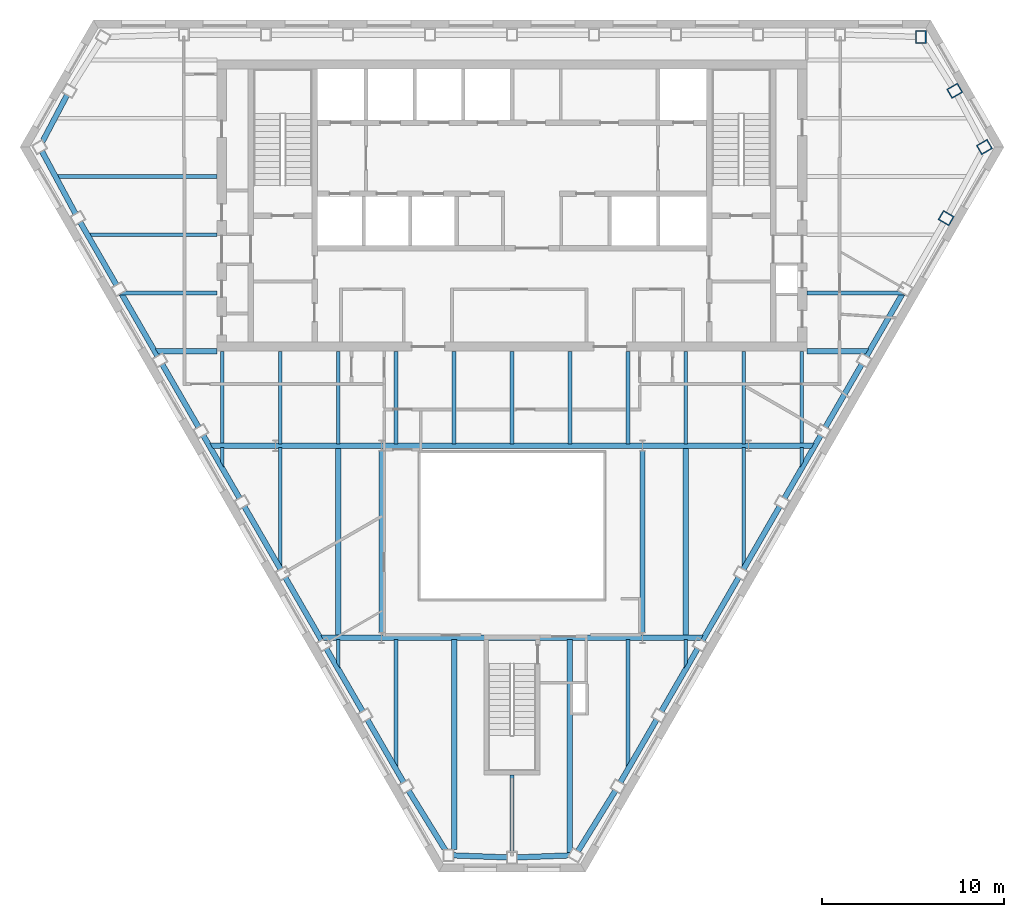
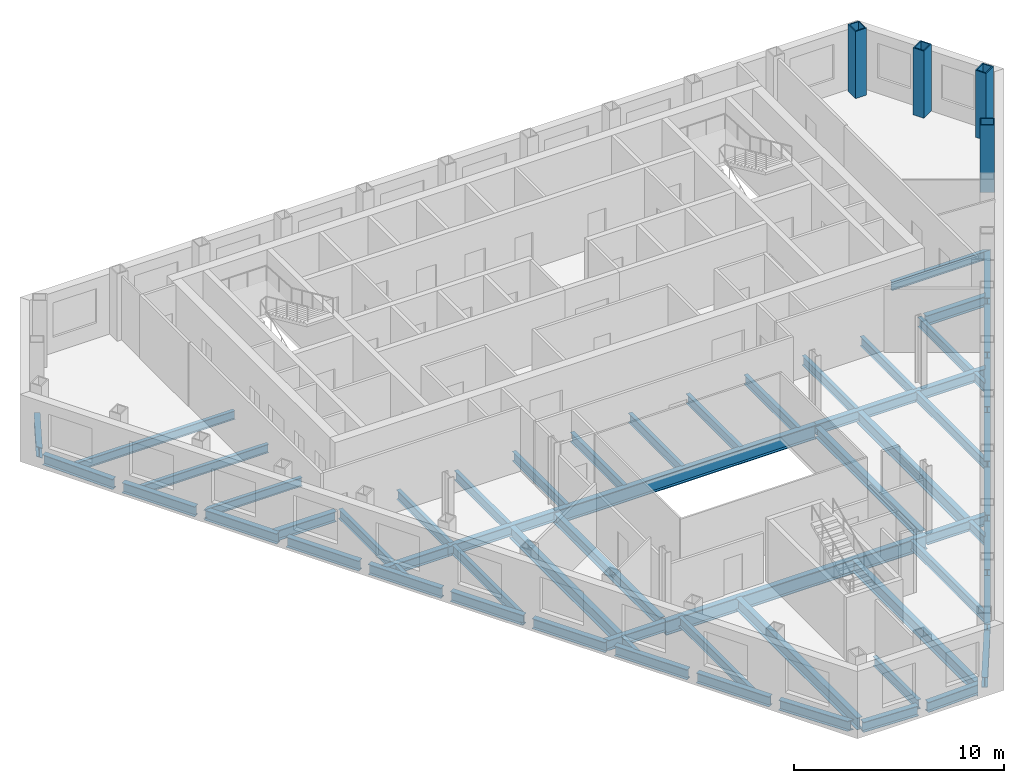
# One storey, part 2 of 11: 61 beams, 4 columns.
"""IFC4 building model written with IfcOpenShell, lengths in metres."""

import ifcopenshell
import ifcopenshell.guid

model = None  # the IFC model being written
_history = None  # IfcOwnerHistory: only IFC2X3 demands one
_inside = {}  # id of a spatial element -> (the spatial element, [elements in it])
_under = {}  # id of a project, library or spatial element -> (it, [spatial elements below it])
_declared = {}  # id of a project -> (the project, [libraries it declares])
_typed = {}  # id of a type object -> (the type object, [elements of that type])
_made_of = {}  # id of a material, layer set ... -> (it, [elements and type objects made of it])


def new_model(schema):
    """Start an empty IFC model of exactly this schema.

    Asked for "IFC4X3", IfcOpenShell would pick the latest addendum, in which some entities
    have other attributes; the version numbers below select the first issue.
    IFC2X3 requires an IfcOwnerHistory on every rooted entity: one is made here for all.
    """
    global model, _history
    if schema == "IFC4X3":
        model = ifcopenshell.file(schema_version=(4, 3, 0, 0))
    else:
        model = ifcopenshell.file(schema=schema)
    _inside.clear()
    _under.clear()
    _declared.clear()
    _typed.clear()
    _made_of.clear()
    _history = None
    if model.schema == "IFC2X3":
        org = make("IfcOrganization", Name="unknown")
        user = make(
            "IfcPersonAndOrganization",
            ThePerson=make("IfcPerson", FamilyName="unknown"),
            TheOrganization=org,
        )
        app = make(
            "IfcApplication",
            ApplicationDeveloper=org,
            Version="unknown",
            ApplicationFullName="unknown",
            ApplicationIdentifier="unknown",
        )
        _history = make(
            "IfcOwnerHistory",
            OwningUser=user,
            OwningApplication=app,
            ChangeAction="ADDED",
            CreationDate=0,
        )
    return model


def make(cls, **values):
    """One entity of the class cls with the attributes given. An attribute that is None is left unset."""
    return model.create_entity(
        cls, **{name: value for name, value in values.items() if value is not None}
    )


def rooted(cls, **values):
    """An entity with a GlobalId (a new one), such as an element, a storey or a relation."""
    return make(cls, GlobalId=ifcopenshell.guid.new(), OwnerHistory=_history, **values)


def si_unit(unit_type, name, prefix=None):
    """IfcSIUnit, for example si_unit("LENGTHUNIT", "METRE", prefix="MILLI")."""
    return make("IfcSIUnit", UnitType=unit_type, Prefix=prefix, Name=name)


def assignment(units):
    """IfcUnitAssignment: the units of a project."""
    return None if units is None else make("IfcUnitAssignment", Units=units)


def point(xyz):
    """IfcCartesianPoint."""
    return None if xyz is None else make("IfcCartesianPoint", Coordinates=xyz)


def direction(xyz):
    """IfcDirection."""
    return None if xyz is None else make("IfcDirection", DirectionRatios=xyz)


def frame(location, z_axis=None, x_axis=None):
    """IfcAxis2Placement3D, a coordinate frame: its origin and axes. An axis left out is left unset."""
    return make(
        "IfcAxis2Placement3D",
        Location=point(location),
        Axis=direction(z_axis),
        RefDirection=direction(x_axis),
    )


def frame_2d(location, x_axis=None):
    """IfcAxis2Placement2D, a coordinate frame in the plane: its origin and x axis."""
    return make(
        "IfcAxis2Placement2D", Location=point(location), RefDirection=direction(x_axis)
    )


def origin():
    """The frame at (0, 0, 0) with its axes left unset."""
    return frame((0.0, 0.0, 0.0))


def origin_2d():
    """The frame at (0, 0) in the plane with its x axis left unset."""
    return frame_2d((0.0, 0.0))


def place(relative_to, where):
    """IfcLocalPlacement: puts the frame where relative to a parent placement (None: the world)."""
    return make(
        "IfcLocalPlacement", PlacementRelTo=relative_to, RelativePlacement=where
    )


def context(
    kind, dimensions, precision=None, world=None, true_north=None, identifier=None
):
    """IfcGeometricRepresentationContext, for example the 3D "Model" context."""
    return make(
        "IfcGeometricRepresentationContext",
        ContextIdentifier=identifier,
        ContextType=kind,
        CoordinateSpaceDimension=dimensions,
        Precision=precision,
        WorldCoordinateSystem=world,
        TrueNorth=true_north,
    )


def subcontext(parent, identifier, kind, view, scale=None):
    """IfcGeometricRepresentationSubContext, for example "Body" below "Model"."""
    return make(
        "IfcGeometricRepresentationSubContext",
        ContextIdentifier=identifier,
        ContextType=kind,
        ParentContext=parent,
        TargetScale=scale,
        TargetView=view,
    )


def project(units=None, contexts=None):
    """IfcProject with its units and contexts."""
    return rooted(
        "IfcProject",
        Name="project",
        RepresentationContexts=contexts,
        UnitsInContext=assignment(units),
    )


def spatial(cls, under=None, at=None, **own):
    """A site, building, storey or space (cls), placed at a placement, below another one or the project."""
    s = rooted(cls, ObjectPlacement=at, **own)
    if under is not None:
        _under.setdefault(under.id(), (under, []))[1].append(s)
    return s


def profile(cls, at=None, kind="AREA", **sizes):
    """A parametric profile (cls). Its sizes go by their IFC names, for example OverallWidth=200.0."""
    return make(cls, ProfileType=kind, Position=at, **sizes)


def hollow_rectangle(**sizes):
    """IfcRectangleHollowProfileDef."""
    return profile("IfcRectangleHollowProfileDef", **sizes)


def i_section(**sizes):
    """IfcIShapeProfileDef."""
    return profile("IfcIShapeProfileDef", **sizes)


def extrude(swept, where, along, depth):
    """IfcExtrudedAreaSolid: the profile swept, set in the frame where, extruded along a direction by depth."""
    return make(
        "IfcExtrudedAreaSolid",
        SweptArea=swept,
        Position=where,
        ExtrudedDirection=direction(along),
        Depth=depth,
    )


def clip(a, b, op="DIFFERENCE"):
    """IfcBooleanClippingResult: the solid a cut by the half space b."""
    return make(
        "IfcBooleanClippingResult", Operator=op, FirstOperand=a, SecondOperand=b
    )


def halfspace(plane, agree):
    """IfcHalfSpaceSolid: all space on one side of the plane z = 0 of the frame plane."""
    return make(
        "IfcHalfSpaceSolid",
        BaseSurface=make("IfcPlane", Position=plane),
        AgreementFlag=agree,
    )


def shape(context_of_items, identifier, shape_type, items):
    """IfcShapeRepresentation: the items that make up one representation, for example the "Body"."""
    return make(
        "IfcShapeRepresentation",
        ContextOfItems=context_of_items,
        RepresentationIdentifier=identifier,
        RepresentationType=shape_type,
        Items=items,
    )


def material(Name=None, Category=None):
    """IfcMaterial."""
    return make("IfcMaterial", Name=Name, Category=Category)


def material_profile(
    of_material, cross_section, Name=None, Category=None, Priority=None
):
    """IfcMaterialProfile: a cross section and its material."""
    return make(
        "IfcMaterialProfile",
        Name=Name,
        Material=of_material,
        Profile=cross_section,
        Priority=Priority,
        Category=Category,
    )


def profile_set(profiles, Name=None, composite=None):
    """IfcMaterialProfileSet."""
    return make(
        "IfcMaterialProfileSet",
        Name=Name,
        MaterialProfiles=profiles,
        CompositeProfile=composite,
    )


def made_of(thing, what):
    """Note that an element or type object is made of a material, layer set ...; save() writes the relation."""
    if what is not None:
        _made_of.setdefault(what.id(), (what, []))[1].append(thing)
    return thing


def type_object(cls, material=None, **own):
    """A type object (cls), such as IfcWallType, which elements share."""
    return made_of(rooted(cls, **own), material)


def element(
    cls,
    number,
    at=None,
    inside=None,
    cuts=None,
    type_object=None,
    material=None,
    context=None,
    identifier="Body",
    shape_type=None,
    held_by="IfcProductDefinitionShape",
    body=None,
    shapes=None,
    **own,
):
    """One element of the class cls, such as IfcWall. Its Tag is "e" and its number.

    at: its placement. inside: the storey or other place that contains it. cuts: it is an
    opening in that element (IfcRelVoidsElement). A single representation is given by context,
    identifier, shape_type and body (its items); several are given by shapes. held_by: the class
    of the entity that holds the representations. save() writes the other relations.
    """
    e = rooted(cls, Tag="e%d" % number, ObjectPlacement=at, **own)
    if body is not None:
        shapes = [shape(context, identifier, shape_type, body)]
    if shapes is not None:
        e.Representation = make(held_by, Representations=shapes)
    if inside is not None:
        _inside.setdefault(inside.id(), (inside, []))[1].append(e)
    if cuts is not None:
        rooted(
            "IfcRelVoidsElement", RelatingBuildingElement=cuts, RelatedOpeningElement=e
        )
    if type_object is not None:
        _typed.setdefault(type_object.id(), (type_object, []))[1].append(e)
    return made_of(e, material)


def aggregate(whole, parts):
    """IfcRelAggregates: a whole, such as a stair, and the parts it consists of."""
    return rooted("IfcRelAggregates", RelatingObject=whole, RelatedObjects=parts)


def save(model, path):
    """Write the relations noted so far, then the file.

    IfcRelAggregates (storeys below a building ...), IfcRelContainedInSpatialStructure (elements
    in a storey), IfcRelDefinesByType, IfcRelAssociatesMaterial and IfcRelDeclares: one each for
    every whole, place, type object, material and project.
    """
    for whole, parts in _under.values():
        aggregate(whole, parts)
    for where, things in _inside.values():
        rooted(
            "IfcRelContainedInSpatialStructure",
            RelatedElements=things,
            RelatingStructure=where,
        )
    for kind, things in _typed.values():
        rooted("IfcRelDefinesByType", RelatedObjects=things, RelatingType=kind)
    for what, things in _made_of.values():
        rooted("IfcRelAssociatesMaterial", RelatedObjects=things, RelatingMaterial=what)
    for by, libraries in _declared.values():
        rooted("IfcRelDeclares", RelatingContext=by, RelatedDefinitions=libraries)
    model.write(path)


model = new_model("IFC4")

# Units and contexts
model_context = context("Model", 3, precision=1e-05, world=origin(), true_north=direction((0.0, 1.0)))
body_context = subcontext(model_context, "Body", "Model", "MODEL_VIEW")
ifc_project = project(units=[si_unit("LENGTHUNIT", "METRE"), si_unit("AREAUNIT", "SQUARE_METRE"), si_unit("VOLUMEUNIT", "CUBIC_METRE"), si_unit("PLANEANGLEUNIT", "RADIAN"), si_unit("MASSUNIT", "GRAM", prefix="KILO")], contexts=[model_context])

# Site, building, storey
site_placement = place(None, origin())
site = spatial("IfcSite", under=ifc_project, at=site_placement, CompositionType="ELEMENT")
building_placement = place(site_placement, origin())
building = spatial("IfcBuilding", under=site, at=building_placement, Name="Njiva Tower", CompositionType="ELEMENT")
storey_placement = place(building_placement, frame((0.0, 0.0, 178.8)))
storey = spatial("IfcBuildingStorey", under=building, at=storey_placement, Name="L39", CompositionType="ELEMENT", Elevation=178.8)

# Columns
ifc_material = material(Name="Steel S355 J2", Category="steel")
ifc_material_profile_1 = material_profile(ifc_material, hollow_rectangle(XDim=0.6, YDim=0.7, WallThickness=0.06, at=origin_2d()), Name="BOX 700x600x60")
ifc_profile_set_1 = profile_set([ifc_material_profile_1], Name="Steel S355 J2")
column_type = type_object("IfcColumnType", Name="C9 Perimeter tube column BOX 700x600x60", PredefinedType="COLUMN", material=ifc_profile_set_1)
for number, where, z_axis, x_axis, name in (
    (1, (22.466, 19.267, 0.0), (0.0, 0.0, 1.0), (-1.0, 0.0, 0.0), "Perimeter tube column S13-C01"),
    (2, (23.857, 9.315, 0.0), (0.0, 0.0, 1.0), (0.5, 0.866025403784, 0.0), "Perimeter tube column S13-C34"),
    (3, (25.958, 13.22, 0.0), (0.0, 0.0, 1.0), (-0.5, 0.866025403784, 0.0), "Perimeter tube column S13-C35"),
    (4, (24.327, 16.31, 0.0), (0.0, 0.0, 1.0), (-0.5, 0.866025403784, 0.0), "Perimeter tube column S13-C36"),
):
    element("IfcColumn", number, at=place(storey_placement, frame(where, z_axis=z_axis, x_axis=x_axis)), inside=storey, type_object=column_type, Name=name, PredefinedType="COLUMN", context=body_context, shape_type="SweptSolid", body=[
        extrude(hollow_rectangle(XDim=0.6, YDim=0.7, WallThickness=0.06, at=origin_2d()), origin(), (0.0, 0.0, 1.0), 3.9),
    ])

# Beams
ifc_material_profile_2 = material_profile(ifc_material, i_section(OverallWidth=0.3, OverallDepth=0.69, WebThickness=0.0145, FlangeThickness=0.027, at=origin_2d()), Name="HEA 700")
ifc_profile_set_2 = profile_set([ifc_material_profile_2], Name="Steel S355 J2")
beam_type_1 = type_object("IfcBeamType", Name="B12 Long-span floor joist HEA 700", PredefinedType="JOIST", material=ifc_profile_set_2)
beam_1_placement = place(storey_placement, frame((-9.55, -3.3, -0.545), z_axis=(0.0, -1.0, 0.0), x_axis=(1.0, 0.0, 0.0)))
element("IfcBeam", 5, at=beam_1_placement, inside=storey, type_object=beam_type_1, Name="Long-span floor joist S13-B056", PredefinedType="JOIST", context=body_context, shape_type="SweptSolid", body=[
    extrude(i_section(OverallWidth=0.3, OverallDepth=0.69, WebThickness=0.0145, FlangeThickness=0.027, at=origin_2d()), origin(), (0.0, 0.0, 1.0), 10.35),
])
beam_2_placement = place(storey_placement, frame((-3.183, -13.851, -0.545), z_axis=(0.0, -1.0, 0.0), x_axis=(1.0, 0.0, 0.0)))
element("IfcBeam", 6, at=beam_2_placement, inside=storey, type_object=beam_type_1, Name="Long-span floor joist S13-B061", PredefinedType="JOIST", context=body_context, shape_type="SweptSolid", body=[
    extrude(i_section(OverallWidth=0.3, OverallDepth=0.69, WebThickness=0.0145, FlangeThickness=0.027, at=origin_2d()), origin(), (0.0, 0.0, 1.0), 11.542),
])
beam_3_placement = place(storey_placement, frame((3.183, -13.851, -0.545), z_axis=(0.0, -1.0, 0.0), x_axis=(1.0, 0.0, 0.0)))
element("IfcBeam", 7, at=beam_3_placement, inside=storey, type_object=beam_type_1, Name="Long-span floor joist S13-B066", PredefinedType="JOIST", context=body_context, shape_type="Clipping", body=[
    clip(extrude(i_section(OverallWidth=0.3, OverallDepth=0.69, WebThickness=0.0145, FlangeThickness=0.027, at=origin_2d()), origin(), (0.0, 0.0, 1.0), 11.977), halfspace(frame((0.0436, 0.0, 11.6999), z_axis=(0.866026552831, 0.0, 0.499998009787), x_axis=(0.0, 1.0, 0.0)), False)),
])
beam_4_placement = place(storey_placement, frame((9.55, -3.3, -0.545), z_axis=(0.0, -1.0, 0.0), x_axis=(1.0, 0.0, 0.0)))
element("IfcBeam", 8, at=beam_4_placement, inside=storey, type_object=beam_type_1, Name="Long-span floor joist S13-B072", PredefinedType="JOIST", context=body_context, shape_type="SweptSolid", body=[
    extrude(i_section(OverallWidth=0.3, OverallDepth=0.69, WebThickness=0.0145, FlangeThickness=0.027, at=origin_2d()), origin(), (0.0, 0.0, 1.0), 10.35),
])
ifc_material_profile_3 = material_profile(ifc_material, i_section(OverallWidth=0.2, OverallDepth=0.5, WebThickness=0.0102, FlangeThickness=0.016, at=origin_2d()), Name="IPE 500")
ifc_profile_set_3 = profile_set([ifc_material_profile_3], Name="Steel S355 J2")
beam_type_2 = type_object("IfcBeamType", Name="B24 Floor beam to the core IPE 500", PredefinedType="BEAM", material=ifc_profile_set_3)
beam_5_placement = place(storey_placement, frame((-21.661, 5.2, -0.45), z_axis=(1.0, 0.0, 0.0), x_axis=(0.0, 1.0, 0.0)))
element("IfcBeam", 9, at=beam_5_placement, inside=storey, type_object=beam_type_2, Name="Floor beam to the core S13-B005", PredefinedType="BEAM", context=body_context, shape_type="Clipping", body=[
    clip(extrude(i_section(OverallWidth=0.2, OverallDepth=0.5, WebThickness=0.0102, FlangeThickness=0.016, at=origin_2d()), origin(), (0.0, 0.0, 1.0), 5.461), halfspace(frame((0.0433, 0.0, 0.2675), z_axis=(0.866026552831, 0.0, -0.499998009787), x_axis=(0.0, -1.0, 0.0)), False)),
])
beam_6_placement = place(storey_placement, frame((16.2, 5.2, -0.45), z_axis=(1.0, 0.0, 0.0), x_axis=(0.0, 1.0, 0.0)))
element("IfcBeam", 10, at=beam_6_placement, inside=storey, type_object=beam_type_2, Name="Floor beam to the core S13-B008", PredefinedType="BEAM", context=body_context, shape_type="Clipping", body=[
    clip(extrude(i_section(OverallWidth=0.2, OverallDepth=0.5, WebThickness=0.0102, FlangeThickness=0.016, at=origin_2d()), origin(), (0.0, 0.0, 1.0), 5.461), halfspace(frame((0.0433, 0.0, 5.1935), z_axis=(0.866026552831, 0.0, 0.499998009787), x_axis=(0.0, 1.0, 0.0)), False)),
])
beam_7_placement = place(storey_placement, frame((-23.291, 8.4, -0.45), z_axis=(1.0, 0.0, 0.0), x_axis=(0.0, 1.0, 0.0)))
element("IfcBeam", 11, at=beam_7_placement, inside=storey, type_object=beam_type_2, Name="Floor beam to the core S13-B003", PredefinedType="BEAM", context=body_context, shape_type="Clipping", body=[
    clip(extrude(i_section(OverallWidth=0.2, OverallDepth=0.5, WebThickness=0.0102, FlangeThickness=0.016, at=origin_2d()), origin(), (0.0, 0.0, 1.0), 7.091), halfspace(frame((-0.025, 0.0, 0.0924), z_axis=(-0.499998009787, 0.0, -0.866026552831), x_axis=(0.0, -1.0, 0.0)), False)),
])
beam_8_placement = place(storey_placement, frame((-25.047, 11.6, -0.45), z_axis=(1.0, 0.0, 0.0), x_axis=(0.0, 1.0, 0.0)))
element("IfcBeam", 12, at=beam_8_placement, inside=storey, type_object=beam_type_2, Name="Floor beam to the core S13-B002", PredefinedType="BEAM", context=body_context, shape_type="Clipping", body=[
    clip(extrude(i_section(OverallWidth=0.2, OverallDepth=0.5, WebThickness=0.0102, FlangeThickness=0.016, at=origin_2d()), origin(), (0.0, 0.0, 1.0), 8.847), halfspace(frame((-0.0237, 0.0, 0.0872), z_axis=(-0.473777178452, 0.0, -0.88064475538), x_axis=(0.0, -1.0, 0.0)), False)),
])
ifc_material_profile_4 = material_profile(ifc_material, i_section(OverallWidth=0.3, OverallDepth=0.59, WebThickness=0.013, FlangeThickness=0.025, at=origin_2d()), Name="HEA 600")
ifc_profile_set_4 = profile_set([ifc_material_profile_4], Name="Steel S355 J2")
beam_type_3 = type_object("IfcBeamType", Name="B27 Short-span spandrel beam HEA 600", PredefinedType="SPANDREL", material=ifc_profile_set_4)
beam_9_placement = place(storey_placement, frame((-24.446, 16.084, -0.495), z_axis=(-0.46666069487, -0.88443642839, 0.0), x_axis=(0.88443642839, -0.46666069487, 0.0)))
element("IfcBeam", 13, at=beam_9_placement, inside=storey, type_object=beam_type_3, Name="Short-span spandrel beam S13-B087", PredefinedType="SPANDREL", context=body_context, shape_type="Clipping", body=[
    clip(extrude(i_section(OverallWidth=0.3, OverallDepth=0.59, WebThickness=0.013, FlangeThickness=0.025, at=origin_2d()), origin(), (0.0, 0.0, 1.0), 2.9983), halfspace(frame((-0.0269, 0.0, 2.8676), z_axis=(-0.532616012597, 0.0, 0.846357006898), x_axis=(0.0, 1.0, 0.0)), False)),
])
beam_10_placement = place(storey_placement, frame((-25.837, 12.997, -0.495), z_axis=(0.473704904444, -0.880683634176, 0.0), x_axis=(0.880683634176, 0.473704904444, 0.0)))
element("IfcBeam", 14, at=beam_10_placement, inside=storey, type_object=beam_type_3, Name="Short-span spandrel beam S13-B086", PredefinedType="SPANDREL", context=body_context, shape_type="SweptSolid", body=[
    extrude(i_section(OverallWidth=0.3, OverallDepth=0.59, WebThickness=0.013, FlangeThickness=0.025, at=origin_2d()), origin(), (0.0, 0.0, 1.0), 3.9265),
])
beam_11_placement = place(storey_placement, frame((-23.732, 9.099, -0.495), z_axis=(0.500003221507, -0.866023543838, 0.0), x_axis=(0.866023543838, 0.500003221507, 0.0)))
element("IfcBeam", 15, at=beam_11_placement, inside=storey, type_object=beam_type_3, Name="Short-span spandrel beam S13-B091", PredefinedType="SPANDREL", context=body_context, shape_type="SweptSolid", body=[
    extrude(i_section(OverallWidth=0.3, OverallDepth=0.59, WebThickness=0.013, FlangeThickness=0.025, at=origin_2d()), origin(), (0.0, 0.0, 1.0), 4.008),
])
beam_12_placement = place(storey_placement, frame((-21.478, 5.195, -0.495), z_axis=(0.499974286969, -0.866040248701, 0.0), x_axis=(0.866040248701, 0.499974286969, 0.0)))
element("IfcBeam", 16, at=beam_12_placement, inside=storey, type_object=beam_type_3, Name="Short-span spandrel beam S13-B095", PredefinedType="SPANDREL", context=body_context, shape_type="SweptSolid", body=[
    extrude(i_section(OverallWidth=0.3, OverallDepth=0.59, WebThickness=0.013, FlangeThickness=0.025, at=origin_2d()), origin(), (0.0, 0.0, 1.0), 4.0102),
])
for number, where, z_axis, x_axis, name in (
    (17, (-19.223, 1.289, -0.495), (0.500003221507, -0.866023543838, 0.0), (0.866023543838, 0.500003221507, 0.0), "Short-span spandrel beam S13-B097"),
    (18, (-16.969, -2.615, -0.495), (0.500003221507, -0.866023543838, 0.0), (0.866023543838, 0.500003221507, 0.0), "Short-span spandrel beam S13-B101"),
):
    element("IfcBeam", number, at=place(storey_placement, frame(where, z_axis=z_axis, x_axis=x_axis)), inside=storey, type_object=beam_type_3, Name=name, PredefinedType="SPANDREL", context=body_context, shape_type="SweptSolid", body=[
        extrude(i_section(OverallWidth=0.3, OverallDepth=0.59, WebThickness=0.013, FlangeThickness=0.025, at=origin_2d()), origin(), (0.0, 0.0, 1.0), 4.008),
    ])
beam_13_placement = place(storey_placement, frame((-14.715, -6.519, -0.495), z_axis=(0.499974286969, -0.866040248701, 0.0), x_axis=(0.866040248701, 0.499974286969, 0.0)))
element("IfcBeam", 19, at=beam_13_placement, inside=storey, type_object=beam_type_3, Name="Short-span spandrel beam S13-B103", PredefinedType="SPANDREL", context=body_context, shape_type="SweptSolid", body=[
    extrude(i_section(OverallWidth=0.3, OverallDepth=0.59, WebThickness=0.013, FlangeThickness=0.025, at=origin_2d()), origin(), (0.0, 0.0, 1.0), 4.0102),
])
for number, where, z_axis, x_axis, name in (
    (20, (-12.46, -10.425, -0.495), (0.500003221507, -0.866023543838, 0.0), (0.866023543838, 0.500003221507, 0.0), "Short-span spandrel beam S13-B107"),
    (21, (-10.206, -14.329, -0.495), (0.500003221507, -0.866023543838, 0.0), (0.866023543838, 0.500003221507, 0.0), "Short-span spandrel beam S13-B109"),
):
    element("IfcBeam", number, at=place(storey_placement, frame(where, z_axis=z_axis, x_axis=x_axis)), inside=storey, type_object=beam_type_3, Name=name, PredefinedType="SPANDREL", context=body_context, shape_type="SweptSolid", body=[
        extrude(i_section(OverallWidth=0.3, OverallDepth=0.59, WebThickness=0.013, FlangeThickness=0.025, at=origin_2d()), origin(), (0.0, 0.0, 1.0), 4.008),
    ])
beam_14_placement = place(storey_placement, frame((-7.952, -18.233, -0.495), z_axis=(0.500082280366, -0.865977893981, 0.0), x_axis=(0.865977893981, 0.500082280366, 0.0)))
element("IfcBeam", 22, at=beam_14_placement, inside=storey, type_object=beam_type_3, Name="Short-span spandrel beam S13-B112", PredefinedType="SPANDREL", context=body_context, shape_type="SweptSolid", body=[
    extrude(i_section(OverallWidth=0.3, OverallDepth=0.59, WebThickness=0.013, FlangeThickness=0.025, at=origin_2d()), origin(), (0.0, 0.0, 1.0), 4.0093),
])
beam_15_placement = place(storey_placement, frame((-5.689, -22.137, -0.495), z_axis=(0.525670865085, -0.850688040118, 0.0), x_axis=(0.850688040118, 0.525670865085, 0.0)))
element("IfcBeam", 23, at=beam_15_placement, inside=storey, type_object=beam_type_3, Name="Short-span spandrel beam S13-B114", PredefinedType="SPANDREL", context=body_context, shape_type="Clipping", body=[
    clip(extrude(i_section(OverallWidth=0.3, OverallDepth=0.59, WebThickness=0.013, FlangeThickness=0.025, at=origin_2d()), origin(), (0.0, 0.0, 1.0), 3.9405), halfspace(frame((-0.0259, 0.0, 3.8115), z_axis=(-0.525670865085, 0.0, 0.850688040118), x_axis=(0.0, 1.0, 0.0)), False)),
])
beam_16_placement = place(storey_placement, frame((-3.236, -25.703, -0.495), z_axis=(0.999282312781, -0.037879537519, 0.0), x_axis=(0.037879537519, 0.999282312781, 0.0)))
element("IfcBeam", 24, at=beam_16_placement, inside=storey, type_object=beam_type_3, Name="Short-span spandrel beam S13-B118", PredefinedType="SPANDREL", context=body_context, shape_type="SweptSolid", body=[
    extrude(i_section(OverallWidth=0.3, OverallDepth=0.59, WebThickness=0.013, FlangeThickness=0.025, at=origin_2d()), origin(), (0.0, 0.0, 1.0), 2.9831),
])
beam_17_placement = place(storey_placement, frame((0.255, -25.816, -0.495), z_axis=(0.999272399095, 0.038140167904, 0.0), x_axis=(-0.038140167904, 0.999272399095, 0.0)))
element("IfcBeam", 25, at=beam_17_placement, inside=storey, type_object=beam_type_3, Name="Short-span spandrel beam S13-B119", PredefinedType="SPANDREL", context=body_context, shape_type="Clipping", body=[
    clip(extrude(i_section(OverallWidth=0.3, OverallDepth=0.59, WebThickness=0.013, FlangeThickness=0.025, at=origin_2d()), origin(), (0.0, 0.0, 1.0), 2.9981), halfspace(frame((-0.027, 0.0, 2.8672), z_axis=(-0.532664608917, 0.0, 0.846326423082), x_axis=(0.0, 1.0, 0.0)), False)),
])
beam_18_placement = place(storey_placement, frame((3.625, -25.477, -0.495), z_axis=(0.525688073686, 0.850677406062, 0.0), x_axis=(-0.850677406062, 0.525688073686, 0.0)))
element("IfcBeam", 26, at=beam_18_placement, inside=storey, type_object=beam_type_3, Name="Short-span spandrel beam S13-B123", PredefinedType="SPANDREL", context=body_context, shape_type="SweptSolid", body=[
    extrude(i_section(OverallWidth=0.3, OverallDepth=0.59, WebThickness=0.013, FlangeThickness=0.025, at=origin_2d()), origin(), (0.0, 0.0, 1.0), 3.9263),
])
beam_19_placement = place(storey_placement, frame((5.947, -21.705, -0.495), z_axis=(0.500082280366, 0.865977893981, 0.0), x_axis=(-0.865977893981, 0.500082280366, 0.0)))
element("IfcBeam", 27, at=beam_19_placement, inside=storey, type_object=beam_type_3, Name="Short-span spandrel beam S13-B126", PredefinedType="SPANDREL", context=body_context, shape_type="SweptSolid", body=[
    extrude(i_section(OverallWidth=0.3, OverallDepth=0.59, WebThickness=0.013, FlangeThickness=0.025, at=origin_2d()), origin(), (0.0, 0.0, 1.0), 4.0093),
])
for number, where, z_axis, x_axis, name in (
    (28, (8.202, -17.8, -0.495), (0.500003221507, 0.866023543838, 0.0), (-0.866023543838, 0.500003221507, 0.0), "Short-span spandrel beam S13-B128"),
    (29, (10.456, -13.896, -0.495), (0.500003221507, 0.866023543838, 0.0), (-0.866023543838, 0.500003221507, 0.0), "Short-span spandrel beam S13-B132"),
):
    element("IfcBeam", number, at=place(storey_placement, frame(where, z_axis=z_axis, x_axis=x_axis)), inside=storey, type_object=beam_type_3, Name=name, PredefinedType="SPANDREL", context=body_context, shape_type="SweptSolid", body=[
        extrude(i_section(OverallWidth=0.3, OverallDepth=0.59, WebThickness=0.013, FlangeThickness=0.025, at=origin_2d()), origin(), (0.0, 0.0, 1.0), 4.008),
    ])
beam_20_placement = place(storey_placement, frame((12.71, -9.992, -0.495), z_axis=(0.499974286969, 0.866040248701, 0.0), x_axis=(-0.866040248701, 0.499974286969, 0.0)))
element("IfcBeam", 30, at=beam_20_placement, inside=storey, type_object=beam_type_3, Name="Short-span spandrel beam S13-B134", PredefinedType="SPANDREL", context=body_context, shape_type="SweptSolid", body=[
    extrude(i_section(OverallWidth=0.3, OverallDepth=0.59, WebThickness=0.013, FlangeThickness=0.025, at=origin_2d()), origin(), (0.0, 0.0, 1.0), 4.0102),
])
for number, where, z_axis, x_axis, name in (
    (31, (14.965, -6.086, -0.495), (0.500003221507, 0.866023543838, 0.0), (-0.866023543838, 0.500003221507, 0.0), "Short-span spandrel beam S13-B138"),
    (32, (17.219, -2.182, -0.495), (0.500003221507, 0.866023543838, 0.0), (-0.866023543838, 0.500003221507, 0.0), "Short-span spandrel beam S13-B140"),
):
    element("IfcBeam", number, at=place(storey_placement, frame(where, z_axis=z_axis, x_axis=x_axis)), inside=storey, type_object=beam_type_3, Name=name, PredefinedType="SPANDREL", context=body_context, shape_type="SweptSolid", body=[
        extrude(i_section(OverallWidth=0.3, OverallDepth=0.59, WebThickness=0.013, FlangeThickness=0.025, at=origin_2d()), origin(), (0.0, 0.0, 1.0), 4.008),
    ])
beam_21_placement = place(storey_placement, frame((19.473, 1.722, -0.495), z_axis=(0.499974286969, 0.866040248701, 0.0), x_axis=(-0.866040248701, 0.499974286969, 0.0)))
element("IfcBeam", 33, at=beam_21_placement, inside=storey, type_object=beam_type_3, Name="Short-span spandrel beam S13-B144", PredefinedType="SPANDREL", context=body_context, shape_type="SweptSolid", body=[
    extrude(i_section(OverallWidth=0.3, OverallDepth=0.59, WebThickness=0.013, FlangeThickness=0.025, at=origin_2d()), origin(), (0.0, 0.0, 1.0), 4.0102),
])
ifc_material_profile_5 = material_profile(ifc_material, i_section(OverallWidth=0.3, OverallDepth=0.59, WebThickness=0.013, FlangeThickness=0.025, at=origin_2d()), Name="HEA 600")
ifc_profile_set_5 = profile_set([ifc_material_profile_5], Name="Steel S355 J2")
beam_type_4 = type_object("IfcBeamType", Name="B28 Floor girder HEA 600", PredefinedType="BEAM", material=ifc_profile_set_5)
for number, where, z_axis, x_axis, name in (
    (34, (-13.0, -3.2, -0.495), (1.0, 0.0, 0.0), (0.0, 1.0, 0.0), "Floor girder S13-B015"),
    (35, (7.17, -3.2, -0.495), (1.0, 0.0, 0.0), (0.0, 1.0, 0.0), "Floor girder S13-B018"),
):
    element("IfcBeam", number, at=place(storey_placement, frame(where, z_axis=z_axis, x_axis=x_axis)), inside=storey, type_object=beam_type_4, Name=name, PredefinedType="BEAM", context=body_context, shape_type="SweptSolid", body=[
        extrude(i_section(OverallWidth=0.3, OverallDepth=0.59, WebThickness=0.013, FlangeThickness=0.025, at=origin_2d()), origin(), (0.0, 0.0, 1.0), 5.83),
    ])
ifc_material_profile_6 = material_profile(ifc_material, i_section(OverallWidth=0.3, OverallDepth=0.59, WebThickness=0.013, FlangeThickness=0.025, at=origin_2d()), Name="HEA 600")
ifc_profile_set_6 = profile_set([ifc_material_profile_6], Name="Steel S355 J2")
beam_type_5 = type_object("IfcBeamType", Name="B29 Short-span floor girder HEA 600", PredefinedType="BEAM", material=ifc_profile_set_6)
beam_22_placement = place(storey_placement, frame((-16.623, -3.2, -0.495), z_axis=(1.0, 0.0, 0.0), x_axis=(0.0, 1.0, 0.0)))
element("IfcBeam", 36, at=beam_22_placement, inside=storey, type_object=beam_type_5, Name="Short-span floor girder S13-B014", PredefinedType="BEAM", context=body_context, shape_type="Clipping", body=[
    clip(extrude(i_section(OverallWidth=0.3, OverallDepth=0.59, WebThickness=0.013, FlangeThickness=0.025, at=origin_2d()), origin(), (0.0, 0.0, 1.0), 3.623), halfspace(frame((-0.025, 0.0, 0.1217), z_axis=(-0.499998009787, 0.0, -0.866026552831), x_axis=(0.0, -1.0, 0.0)), False)),
])
beam_23_placement = place(storey_placement, frame((13.0, -3.2, -0.495), z_axis=(1.0, 0.0, 0.0), x_axis=(0.0, 1.0, 0.0)))
element("IfcBeam", 37, at=beam_23_placement, inside=storey, type_object=beam_type_5, Name="Short-span floor girder S13-B019", PredefinedType="BEAM", context=body_context, shape_type="Clipping", body=[
    clip(extrude(i_section(OverallWidth=0.3, OverallDepth=0.59, WebThickness=0.013, FlangeThickness=0.025, at=origin_2d()), origin(), (0.0, 0.0, 1.0), 3.623), halfspace(frame((-0.025, 0.0, 3.5013), z_axis=(-0.499998009787, 0.0, 0.866026552831), x_axis=(0.0, 1.0, 0.0)), False)),
])
beam_24_placement = place(storey_placement, frame((-10.532, -13.75, -0.495), z_axis=(1.0, 0.0, 0.0), x_axis=(0.0, 1.0, 0.0)))
element("IfcBeam", 38, at=beam_24_placement, inside=storey, type_object=beam_type_5, Name="Short-span floor girder S13-B016", PredefinedType="BEAM", context=body_context, shape_type="Clipping", body=[
    clip(extrude(i_section(OverallWidth=0.3, OverallDepth=0.59, WebThickness=0.013, FlangeThickness=0.025, at=origin_2d()), origin(), (0.0, 0.0, 1.0), 3.362), halfspace(frame((-0.025, 0.0, 0.1217), z_axis=(-0.499998009787, 0.0, -0.866026552831), x_axis=(0.0, -1.0, 0.0)), False)),
])
beam_25_placement = place(storey_placement, frame((7.17, -13.75, -0.495), z_axis=(1.0, 0.0, 0.0), x_axis=(0.0, 1.0, 0.0)))
element("IfcBeam", 39, at=beam_25_placement, inside=storey, type_object=beam_type_5, Name="Short-span floor girder S13-B017", PredefinedType="BEAM", context=body_context, shape_type="Clipping", body=[
    clip(extrude(i_section(OverallWidth=0.3, OverallDepth=0.59, WebThickness=0.013, FlangeThickness=0.025, at=origin_2d()), origin(), (0.0, 0.0, 1.0), 3.362), halfspace(frame((-0.025, 0.0, 3.2403), z_axis=(-0.499998009787, 0.0, 0.866026552831), x_axis=(0.0, 1.0, 0.0)), False)),
])
beam_26_placement = place(storey_placement, frame((-19.625, 2.0, -0.495), z_axis=(1.0, 0.0, 0.0), x_axis=(0.0, 1.0, 0.0)))
element("IfcBeam", 40, at=beam_26_placement, inside=storey, type_object=beam_type_5, Name="Short-span floor girder S13-B013", PredefinedType="BEAM", context=body_context, shape_type="Clipping", body=[
    clip(extrude(i_section(OverallWidth=0.3, OverallDepth=0.59, WebThickness=0.013, FlangeThickness=0.025, at=origin_2d()), origin(), (0.0, 0.0, 1.0), 3.425), halfspace(frame((-0.025, 0.0, 0.1214), z_axis=(-0.499998009787, 0.0, -0.866026552831), x_axis=(0.0, -1.0, 0.0)), False)),
])
beam_27_placement = place(storey_placement, frame((16.2, 2.0, -0.495), z_axis=(1.0, 0.0, 0.0), x_axis=(0.0, 1.0, 0.0)))
element("IfcBeam", 41, at=beam_27_placement, inside=storey, type_object=beam_type_5, Name="Short-span floor girder S13-B020", PredefinedType="BEAM", context=body_context, shape_type="Clipping", body=[
    clip(extrude(i_section(OverallWidth=0.3, OverallDepth=0.59, WebThickness=0.013, FlangeThickness=0.025, at=origin_2d()), origin(), (0.0, 0.0, 1.0), 3.425), halfspace(frame((-0.025, 0.0, 3.3036), z_axis=(-0.499998009787, 0.0, 0.866026552831), x_axis=(0.0, 1.0, 0.0)), False)),
])
ifc_material_profile_7 = material_profile(ifc_material, i_section(OverallWidth=0.3, OverallDepth=0.59, WebThickness=0.013, FlangeThickness=0.025, at=origin_2d()), Name="HEA 600")
ifc_profile_set_7 = profile_set([ifc_material_profile_7], Name="Steel S355 J2")
beam_type_6 = type_object("IfcBeamType", Name="B30 Long-span atrium trimmer beam HEA 600", PredefinedType="BEAM", material=ifc_profile_set_7)
for number, where, z_axis, x_axis, name in (
    (42, (7.17, -13.49, -0.495), (0.0, 1.0, 0.0), (-1.0, 0.0, 0.0), "Long-span atrium trimmer beam S13-B084"),
    (43, (-7.17, -3.46, -0.495), (0.0, -1.0, 0.0), (1.0, 0.0, 0.0), "Long-span atrium trimmer beam S13-B081"),
):
    element("IfcBeam", number, at=place(storey_placement, frame(where, z_axis=z_axis, x_axis=x_axis)), inside=storey, type_object=beam_type_6, Name=name, PredefinedType="BEAM", context=body_context, shape_type="SweptSolid", body=[
        extrude(i_section(OverallWidth=0.3, OverallDepth=0.59, WebThickness=0.013, FlangeThickness=0.025, at=origin_2d()), origin(), (0.0, 0.0, 1.0), 10.03),
    ])
ifc_material_profile_8 = material_profile(ifc_material, i_section(OverallWidth=0.21, OverallDepth=0.55, WebThickness=0.0111, FlangeThickness=0.0172, at=origin_2d()), Name="IPE 550")
ifc_profile_set_8 = profile_set([ifc_material_profile_8], Name="Steel S355 J2")
beam_type_7 = type_object("IfcBeamType", Name="B31 Short-span floor joist IPE 550", PredefinedType="JOIST", material=ifc_profile_set_8)
beam_28_placement = place(storey_placement, frame((-15.917, -3.3, -0.475), z_axis=(0.0, -1.0, 0.0), x_axis=(1.0, 0.0, 0.0)))
element("IfcBeam", 44, at=beam_28_placement, inside=storey, type_object=beam_type_7, Name="Short-span floor joist S13-B050", PredefinedType="JOIST", context=body_context, shape_type="Clipping", body=[
    clip(extrude(i_section(OverallWidth=0.21, OverallDepth=0.55, WebThickness=0.0111, FlangeThickness=0.0172, at=origin_2d()), origin(), (0.0, 0.0, 1.0), 1.14), halfspace(frame((-0.043, 0.0, 0.8627), z_axis=(-0.866026552831, 0.0, 0.499998009787), x_axis=(0.0, 1.0, 0.0)), False)),
])
beam_29_placement = place(storey_placement, frame((-9.55, -13.85, -0.475), z_axis=(0.0, -1.0, 0.0), x_axis=(1.0, 0.0, 0.0)))
element("IfcBeam", 45, at=beam_29_placement, inside=storey, type_object=beam_type_7, Name="Short-span floor joist S13-B055", PredefinedType="JOIST", context=body_context, shape_type="Clipping", body=[
    clip(extrude(i_section(OverallWidth=0.21, OverallDepth=0.55, WebThickness=0.0111, FlangeThickness=0.0172, at=origin_2d()), origin(), (0.0, 0.0, 1.0), 1.617), halfspace(frame((-0.0433, 0.0, 1.3401), z_axis=(-0.866026552831, 0.0, 0.499998009787), x_axis=(0.0, 1.0, 0.0)), False)),
])
beam_30_placement = place(storey_placement, frame((0.0, -21.3, -0.475), z_axis=(0.0, -1.0, 0.0), x_axis=(1.0, 0.0, 0.0)))
element("IfcBeam", 46, at=beam_30_placement, inside=storey, type_object=beam_type_7, Name="Short-span floor joist S13-B064", PredefinedType="JOIST", context=body_context, shape_type="SweptSolid", body=[
    extrude(i_section(OverallWidth=0.21, OverallDepth=0.55, WebThickness=0.0111, FlangeThickness=0.0172, at=origin_2d()), origin(), (0.0, 0.0, 1.0), 4.226),
])
beam_31_placement = place(storey_placement, frame((9.55, -13.85, -0.475), z_axis=(0.0, -1.0, 0.0), x_axis=(1.0, 0.0, 0.0)))
element("IfcBeam", 47, at=beam_31_placement, inside=storey, type_object=beam_type_7, Name="Short-span floor joist S13-B071", PredefinedType="JOIST", context=body_context, shape_type="Clipping", body=[
    clip(extrude(i_section(OverallWidth=0.21, OverallDepth=0.55, WebThickness=0.0111, FlangeThickness=0.0172, at=origin_2d()), origin(), (0.0, 0.0, 1.0), 1.617), halfspace(frame((0.0433, 0.0, 1.3401), z_axis=(0.866026552831, 0.0, 0.499998009787), x_axis=(0.0, 1.0, 0.0)), False)),
])
beam_32_placement = place(storey_placement, frame((15.917, -3.3, -0.475), z_axis=(0.0, -1.0, 0.0), x_axis=(1.0, 0.0, 0.0)))
element("IfcBeam", 48, at=beam_32_placement, inside=storey, type_object=beam_type_7, Name="Short-span floor joist S13-B077", PredefinedType="JOIST", context=body_context, shape_type="Clipping", body=[
    clip(extrude(i_section(OverallWidth=0.21, OverallDepth=0.55, WebThickness=0.0111, FlangeThickness=0.0172, at=origin_2d()), origin(), (0.0, 0.0, 1.0), 1.14), halfspace(frame((0.043, 0.0, 0.8627), z_axis=(0.866026552831, 0.0, 0.499998009787), x_axis=(0.0, 1.0, 0.0)), False)),
])
ifc_material_profile_9 = material_profile(ifc_material, i_section(OverallWidth=0.21, OverallDepth=0.55, WebThickness=0.0111, FlangeThickness=0.0172, at=origin_2d()), Name="IPE 550")
ifc_profile_set_9 = profile_set([ifc_material_profile_9], Name="Steel S355 J2")
beam_type_8 = type_object("IfcBeamType", Name="B32 Floor joist IPE 550", PredefinedType="JOIST", material=ifc_profile_set_9)
for number, where, z_axis, x_axis, name in (
    (49, (-15.917, 1.995, -0.475), (0.0, -1.0, 0.0), (1.0, 0.0, 0.0), "Floor joist S13-B051"),
    (50, (-12.733, 1.995, -0.475), (0.0, -1.0, 0.0), (1.0, 0.0, 0.0), "Floor joist S13-B054"),
):
    element("IfcBeam", number, at=place(storey_placement, frame(where, z_axis=z_axis, x_axis=x_axis)), inside=storey, type_object=beam_type_8, Name=name, PredefinedType="JOIST", context=body_context, shape_type="SweptSolid", body=[
        extrude(i_section(OverallWidth=0.21, OverallDepth=0.55, WebThickness=0.0111, FlangeThickness=0.0172, at=origin_2d()), origin(), (0.0, 0.0, 1.0), 5.095),
    ])
beam_33_placement = place(storey_placement, frame((-12.733, -3.3, -0.475), z_axis=(0.0, -1.0, 0.0), x_axis=(1.0, 0.0, 0.0)))
element("IfcBeam", 51, at=beam_33_placement, inside=storey, type_object=beam_type_8, Name="Floor joist S13-B052", PredefinedType="JOIST", context=body_context, shape_type="Clipping", body=[
    clip(extrude(i_section(OverallWidth=0.21, OverallDepth=0.55, WebThickness=0.0111, FlangeThickness=0.0172, at=origin_2d()), origin(), (0.0, 0.0, 1.0), 6.786), halfspace(frame((0.0247, 0.0, 6.6905), z_axis=(0.499998009787, 0.0, 0.866026552831), x_axis=(0.0, 1.0, 0.0)), False)),
])
beam_34_placement = place(storey_placement, frame((-9.55, 1.995, -0.475), z_axis=(0.0, -1.0, 0.0), x_axis=(1.0, 0.0, 0.0)))
element("IfcBeam", 52, at=beam_34_placement, inside=storey, type_object=beam_type_8, Name="Floor joist S13-B057", PredefinedType="JOIST", context=body_context, shape_type="SweptSolid", body=[
    extrude(i_section(OverallWidth=0.21, OverallDepth=0.55, WebThickness=0.0111, FlangeThickness=0.0172, at=origin_2d()), origin(), (0.0, 0.0, 1.0), 5.095),
])
beam_35_placement = place(storey_placement, frame((-6.367, 1.995, -0.475), z_axis=(0.0, -1.0, 0.0), x_axis=(1.0, 0.0, 0.0)))
element("IfcBeam", 53, at=beam_35_placement, inside=storey, type_object=beam_type_8, Name="Floor joist S13-B059", PredefinedType="JOIST", context=body_context, shape_type="SweptSolid", body=[
    extrude(i_section(OverallWidth=0.21, OverallDepth=0.55, WebThickness=0.0111, FlangeThickness=0.0172, at=origin_2d()), origin(), (0.0, 0.0, 1.0), 5.094),
])
beam_36_placement = place(storey_placement, frame((-6.367, -13.851, -0.475), z_axis=(0.0, -1.0, 0.0), x_axis=(1.0, 0.0, 0.0)))
element("IfcBeam", 54, at=beam_36_placement, inside=storey, type_object=beam_type_8, Name="Floor joist S13-B058", PredefinedType="JOIST", context=body_context, shape_type="Clipping", body=[
    clip(extrude(i_section(OverallWidth=0.21, OverallDepth=0.55, WebThickness=0.0111, FlangeThickness=0.0172, at=origin_2d()), origin(), (0.0, 0.0, 1.0), 7.13), halfspace(frame((-0.043, 0.0, 6.8528), z_axis=(-0.866026552831, 0.0, 0.499998009787), x_axis=(0.0, 1.0, 0.0)), False)),
])
for number, where, z_axis, x_axis, name in (
    (55, (-3.183, 1.995, -0.475), (0.0, -1.0, 0.0), (1.0, 0.0, 0.0), "Floor joist S13-B062"),
    (56, (0.0, 1.995, -0.475), (0.0, -1.0, 0.0), (1.0, 0.0, 0.0), "Floor joist S13-B065"),
    (57, (3.183, 1.995, -0.475), (0.0, -1.0, 0.0), (1.0, 0.0, 0.0), "Floor joist S13-B068"),
    (58, (6.367, 1.995, -0.475), (0.0, -1.0, 0.0), (1.0, 0.0, 0.0), "Floor joist S13-B070"),
):
    element("IfcBeam", number, at=place(storey_placement, frame(where, z_axis=z_axis, x_axis=x_axis)), inside=storey, type_object=beam_type_8, Name=name, PredefinedType="JOIST", context=body_context, shape_type="SweptSolid", body=[
        extrude(i_section(OverallWidth=0.21, OverallDepth=0.55, WebThickness=0.0111, FlangeThickness=0.0172, at=origin_2d()), origin(), (0.0, 0.0, 1.0), 5.094),
    ])
beam_37_placement = place(storey_placement, frame((6.367, -13.851, -0.475), z_axis=(0.0, -1.0, 0.0), x_axis=(1.0, 0.0, 0.0)))
element("IfcBeam", 59, at=beam_37_placement, inside=storey, type_object=beam_type_8, Name="Floor joist S13-B069", PredefinedType="JOIST", context=body_context, shape_type="Clipping", body=[
    clip(extrude(i_section(OverallWidth=0.21, OverallDepth=0.55, WebThickness=0.0111, FlangeThickness=0.0172, at=origin_2d()), origin(), (0.0, 0.0, 1.0), 7.13), halfspace(frame((0.043, 0.0, 6.8528), z_axis=(0.866026552831, 0.0, 0.499998009787), x_axis=(0.0, 1.0, 0.0)), False)),
])
for number, where, z_axis, x_axis, name in (
    (60, (9.55, 1.995, -0.475), (0.0, -1.0, 0.0), (1.0, 0.0, 0.0), "Floor joist S13-B073"),
    (61, (12.733, 1.995, -0.475), (0.0, -1.0, 0.0), (1.0, 0.0, 0.0), "Floor joist S13-B076"),
):
    element("IfcBeam", number, at=place(storey_placement, frame(where, z_axis=z_axis, x_axis=x_axis)), inside=storey, type_object=beam_type_8, Name=name, PredefinedType="JOIST", context=body_context, shape_type="SweptSolid", body=[
        extrude(i_section(OverallWidth=0.21, OverallDepth=0.55, WebThickness=0.0111, FlangeThickness=0.0172, at=origin_2d()), origin(), (0.0, 0.0, 1.0), 5.095),
    ])
beam_38_placement = place(storey_placement, frame((12.733, -3.3, -0.475), z_axis=(0.0, -1.0, 0.0), x_axis=(1.0, 0.0, 0.0)))
element("IfcBeam", 62, at=beam_38_placement, inside=storey, type_object=beam_type_8, Name="Floor joist S13-B074", PredefinedType="JOIST", context=body_context, shape_type="Clipping", body=[
    clip(extrude(i_section(OverallWidth=0.21, OverallDepth=0.55, WebThickness=0.0111, FlangeThickness=0.0172, at=origin_2d()), origin(), (0.0, 0.0, 1.0), 6.786), halfspace(frame((-0.0247, 0.0, 6.6905), z_axis=(-0.499998009787, 0.0, 0.866026552831), x_axis=(0.0, 1.0, 0.0)), False)),
])
beam_39_placement = place(storey_placement, frame((15.917, 1.995, -0.475), z_axis=(0.0, -1.0, 0.0), x_axis=(1.0, 0.0, 0.0)))
element("IfcBeam", 63, at=beam_39_placement, inside=storey, type_object=beam_type_8, Name="Floor joist S13-B078", PredefinedType="JOIST", context=body_context, shape_type="SweptSolid", body=[
    extrude(i_section(OverallWidth=0.21, OverallDepth=0.55, WebThickness=0.0111, FlangeThickness=0.0172, at=origin_2d()), origin(), (0.0, 0.0, 1.0), 5.095),
])
ifc_material_profile_10 = material_profile(ifc_material, i_section(OverallWidth=0.303, OverallDepth=0.814, WebThickness=0.021, FlangeThickness=0.04, at=origin_2d()), Name="HEM 800")
ifc_profile_set_10 = profile_set([ifc_material_profile_10], Name="Steel S355 J2")
beam_type_9 = type_object("IfcBeamType", Name="B36 Long-span atrium trimmer beam HEM 800", PredefinedType="BEAM", material=ifc_profile_set_10)
for number, where, z_axis, x_axis, name in (
    (64, (-7.17, -13.75, -0.607), (1.0, 0.0, 0.0), (0.0, 1.0, 0.0), "Long-span atrium trimmer beam S13-B080"),
    (65, (7.17, -3.2, -0.607), (-1.0, 0.0, 0.0), (0.0, -1.0, 0.0), "Long-span atrium trimmer beam S13-B082"),
):
    element("IfcBeam", number, at=place(storey_placement, frame(where, z_axis=z_axis, x_axis=x_axis)), inside=storey, type_object=beam_type_9, Name=name, PredefinedType="BEAM", context=body_context, shape_type="SweptSolid", body=[
        extrude(i_section(OverallWidth=0.303, OverallDepth=0.814, WebThickness=0.021, FlangeThickness=0.04, at=origin_2d()), origin(), (0.0, 0.0, 1.0), 14.34),
    ])

save(model, "model.ifc")
